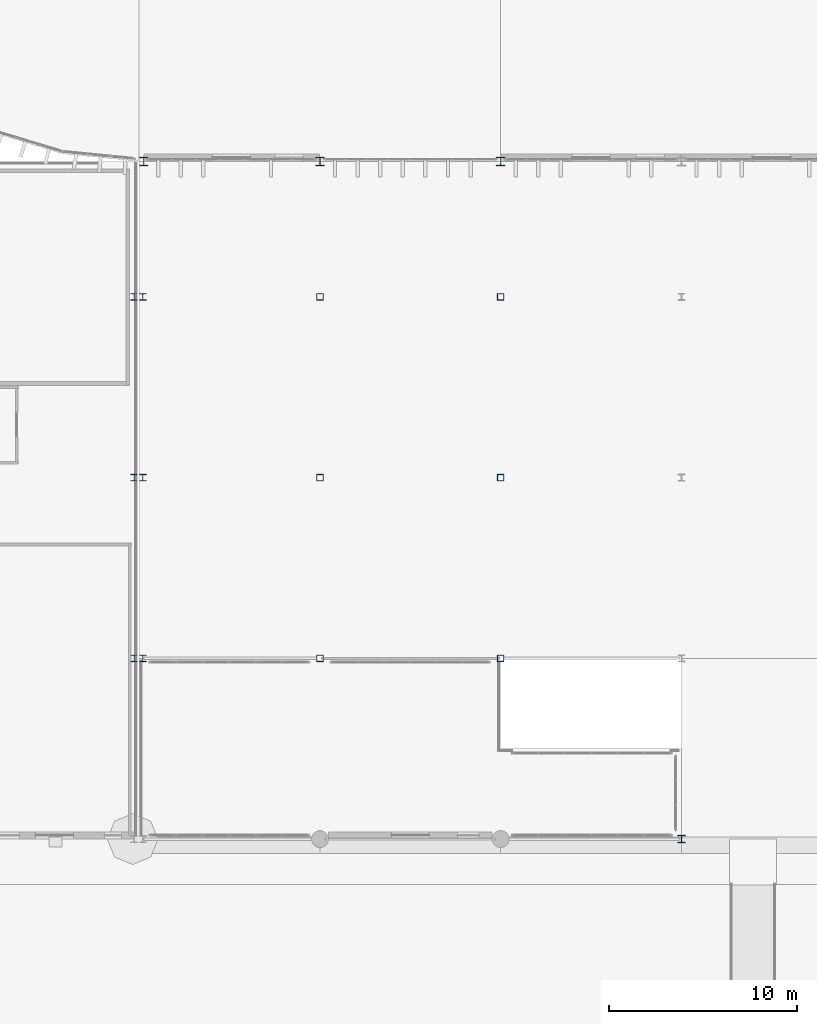
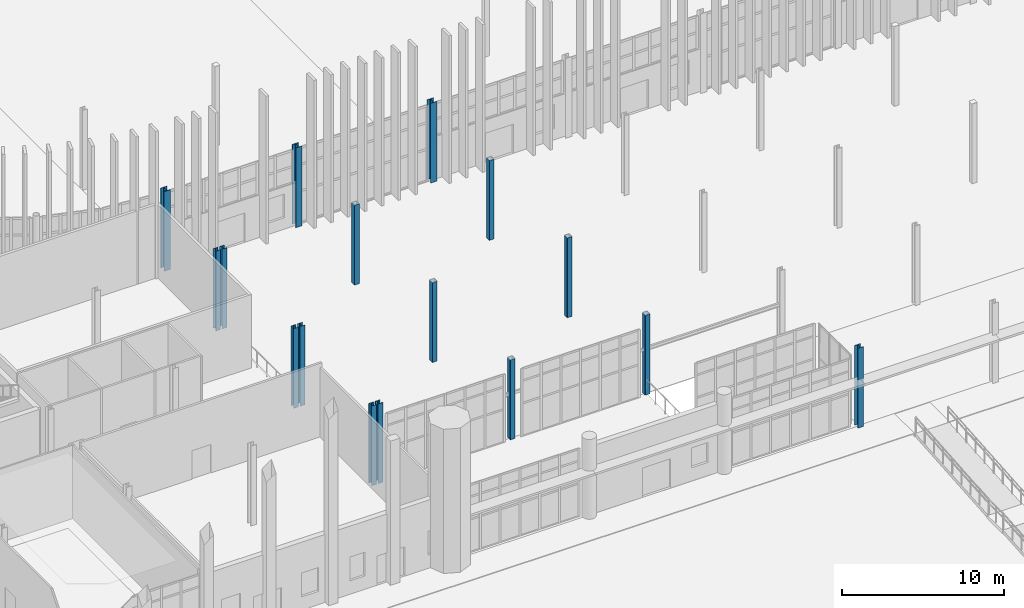
# One storey, part 4 of 139: 16 columns.
"""IFC4 building model written with IfcOpenShell, lengths in metres."""

from ifc_helpers import new_model, si_unit, direction, frame, origin, origin_2d, place, context, subcontext, project, spatial, hollow_rectangle, i_section, extrude, material, material_profile, profile_set, type_object, element, save


model = new_model("IFC4")

# Units and contexts
model_context = context("Model", 3, precision=1e-05, world=origin(), true_north=direction((0.0, 1.0)))
body_context = subcontext(model_context, "Body", "Model", "MODEL_VIEW")
ifc_project = project(units=[si_unit("LENGTHUNIT", "METRE"), si_unit("AREAUNIT", "SQUARE_METRE"), si_unit("VOLUMEUNIT", "CUBIC_METRE"), si_unit("PLANEANGLEUNIT", "RADIAN"), si_unit("MASSUNIT", "GRAM", prefix="KILO")], contexts=[model_context])

# Site, building, storey
site_placement = place(None, origin())
site = spatial("IfcSite", under=ifc_project, at=site_placement, CompositionType="ELEMENT")
building_placement = place(site_placement, origin())
building = spatial("IfcBuilding", under=site, at=building_placement, Name="Yeouljin Market Hall", CompositionType="ELEMENT")
storey_placement = place(building_placement, origin())
storey = spatial("IfcBuildingStorey", under=building, at=storey_placement, Name="L00", CompositionType="ELEMENT", Elevation=0.0)

# Columns
ifc_material_1 = material(Name="Steel SM355", Category="steel")
ifc_material_profile_1 = material_profile(ifc_material_1, i_section(OverallWidth=0.35009765625, OverallDepth=0.35009765625, WebThickness=0.011962890625, FlangeThickness=0.01904296875, FilletRadius=0.02001953125, at=origin_2d()), Name="H-350x350x12x19")
ifc_profile_set_1 = profile_set([ifc_material_profile_1], Name="Steel SM355")
column_type_1 = type_object("IfcColumnType", Name="Col_H-350x350x12x19", PredefinedType="COLUMN", material=ifc_profile_set_1)
for number, where, z_axis, x_axis, name in (
    (1, (35.1298828125, 9.60009765625, 0.0), (0.0, 0.0, 1.0), (1.0, 0.0, 0.0), "Column G-04-01 (L00)"),
    (2, (35.1298828125, 19.199951171875, 0.0), (0.0, 0.0, 1.0), (1.0, 0.0, 0.0), "Column G-04-02 (L00)"),
    (3, (35.1298828125, 28.800048828125, 0.0), (0.0, 0.0, 1.0), (1.0, 0.0, 0.0), "Column G-04-03 (L00)"),
    (4, (35.590087890625, 9.60009765625, 0.0), (0.0, 0.0, 1.0), (1.0, 0.0, 0.0), "Column G-05-01 (L00)"),
    (5, (35.590087890625, 19.199951171875, 0.0), (0.0, 0.0, 1.0), (1.0, 0.0, 0.0), "Column G-05-02 (L00)"),
    (6, (35.590087890625, 28.800048828125, 0.0), (0.0, 0.0, 1.0), (1.0, 0.0, 0.0), "Column G-05-03 (L00)"),
):
    element("IfcColumn", number, at=place(storey_placement, frame(where, z_axis=z_axis, x_axis=x_axis)), inside=storey, type_object=column_type_1, Name=name, PredefinedType="COLUMN", context=body_context, shape_type="SweptSolid", body=[
        extrude(i_section(OverallWidth=0.35009765625, OverallDepth=0.35009765625, WebThickness=0.011962890625, FlangeThickness=0.01904296875, FilletRadius=0.02001953125, at=origin_2d()), origin(), (0.0, 0.0, 1.0), 6.0),
    ])
ifc_material_2 = material(Name="Steel SM355", Category="steel")
ifc_material_profile_2 = material_profile(ifc_material_2, i_section(OverallWidth=0.39990234375, OverallDepth=0.39990234375, WebThickness=0.012939453125, FlangeThickness=0.02099609375, FilletRadius=0.02197265625, at=origin_2d()), Name="H-400x400x13x21")
ifc_profile_set_2 = profile_set([ifc_material_profile_2], Name="Steel SM355")
column_type_2 = type_object("IfcColumnType", Name="Col_H-400x400x13x21", PredefinedType="COLUMN", material=ifc_profile_set_2)
column_placement = place(storey_placement, frame((64.199951171875, 0.0, 0.0), z_axis=(0.0, 0.0, 1.0), x_axis=(1.0, 0.0, 0.0)))
element("IfcColumn", 7, at=column_placement, inside=storey, type_object=column_type_2, Name="Column G-08-00 (L00)", PredefinedType="COLUMN", context=body_context, shape_type="SweptSolid", body=[
    extrude(i_section(OverallWidth=0.39990234375, OverallDepth=0.39990234375, WebThickness=0.012939453125, FlangeThickness=0.02099609375, FilletRadius=0.02197265625, at=origin_2d()), origin(), (0.0, 0.0, 1.0), 6.0),
])
ifc_material_3 = material(Name="Steel SM355", Category="steel")
ifc_material_profile_3 = material_profile(ifc_material_3, i_section(OverallWidth=0.449951171875, OverallDepth=0.449951171875, WebThickness=0.013916015625, FlangeThickness=0.02392578125, FilletRadius=0.02392578125, at=origin_2d()), Name="H-450x450x14x24")
ifc_profile_set_3 = profile_set([ifc_material_profile_3], Name="Steel SM355")
column_type_3 = type_object("IfcColumnType", Name="Col_H-450x450x14x24", PredefinedType="COLUMN", material=ifc_profile_set_3)
for number, where, z_axis, x_axis, name in (
    (8, (35.639892578125, 36.0, 0.0), (0.0, 0.0, 1.0), (1.0, 0.0, 0.0), "Column G-05-04 (L00)"),
    (9, (45.0, 36.0, 0.0), (0.0, 0.0, 1.0), (1.0, 0.0, 0.0), "Column G-06-04 (L00)"),
    (10, (54.60009765625, 36.0, 0.0), (0.0, 0.0, 1.0), (1.0, 0.0, 0.0), "Column G-07-04 (L00)"),
):
    element("IfcColumn", number, at=place(storey_placement, frame(where, z_axis=z_axis, x_axis=x_axis)), inside=storey, type_object=column_type_3, Name=name, PredefinedType="COLUMN", context=body_context, shape_type="SweptSolid", body=[
        extrude(i_section(OverallWidth=0.449951171875, OverallDepth=0.449951171875, WebThickness=0.013916015625, FlangeThickness=0.02392578125, FilletRadius=0.02392578125, at=origin_2d()), origin(), (0.0, 0.0, 1.0), 6.0),
    ])
ifc_material_4 = material(Name="Steel SM355", Category="steel")
ifc_material_profile_4 = material_profile(ifc_material_4, hollow_rectangle(XDim=0.35009765625, YDim=0.35009765625, WallThickness=0.011962890625, InnerFilletRadius=0.011962890625, OuterFilletRadius=0.01611328125, at=origin_2d()), Name="SHS-350x350x12")
ifc_profile_set_4 = profile_set([ifc_material_profile_4], Name="Steel SM355")
column_type_4 = type_object("IfcColumnType", Name="Col_SHS-350x350x12", PredefinedType="COLUMN", material=ifc_profile_set_4)
for number, where, z_axis, x_axis, name in (
    (11, (45.0, 9.60009765625, 0.0), (0.0, 0.0, 1.0), (1.0, 0.0, 0.0), "Column G-06-01 (L00)"),
    (12, (45.0, 19.199951171875, 0.0), (0.0, 0.0, 1.0), (1.0, 0.0, 0.0), "Column G-06-02 (L00)"),
    (13, (45.0, 28.800048828125, 0.0), (0.0, 0.0, 1.0), (1.0, 0.0, 0.0), "Column G-06-03 (L00)"),
    (14, (54.60009765625, 9.60009765625, 0.0), (0.0, 0.0, 1.0), (1.0, 0.0, 0.0), "Column G-07-01 (L00)"),
    (15, (54.60009765625, 19.199951171875, 0.0), (0.0, 0.0, 1.0), (1.0, 0.0, 0.0), "Column G-07-02 (L00)"),
    (16, (54.60009765625, 28.800048828125, 0.0), (0.0, 0.0, 1.0), (1.0, 0.0, 0.0), "Column G-07-03 (L00)"),
):
    element("IfcColumn", number, at=place(storey_placement, frame(where, z_axis=z_axis, x_axis=x_axis)), inside=storey, type_object=column_type_4, Name=name, PredefinedType="COLUMN", context=body_context, shape_type="SweptSolid", body=[
        extrude(hollow_rectangle(XDim=0.35009765625, YDim=0.35009765625, WallThickness=0.011962890625, InnerFilletRadius=0.011962890625, OuterFilletRadius=0.01611328125, at=origin_2d()), origin(), (0.0, 0.0, 1.0), 6.0),
    ])

save(model, "model.ifc")
